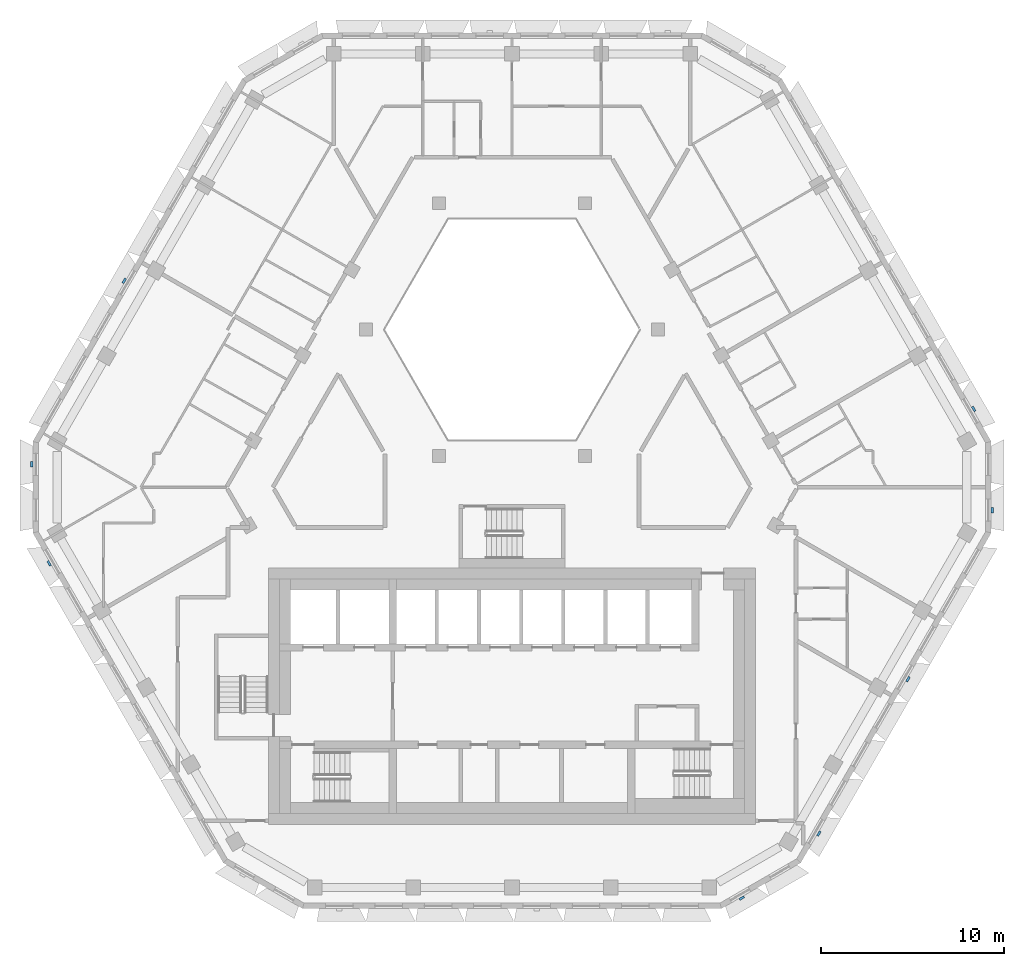
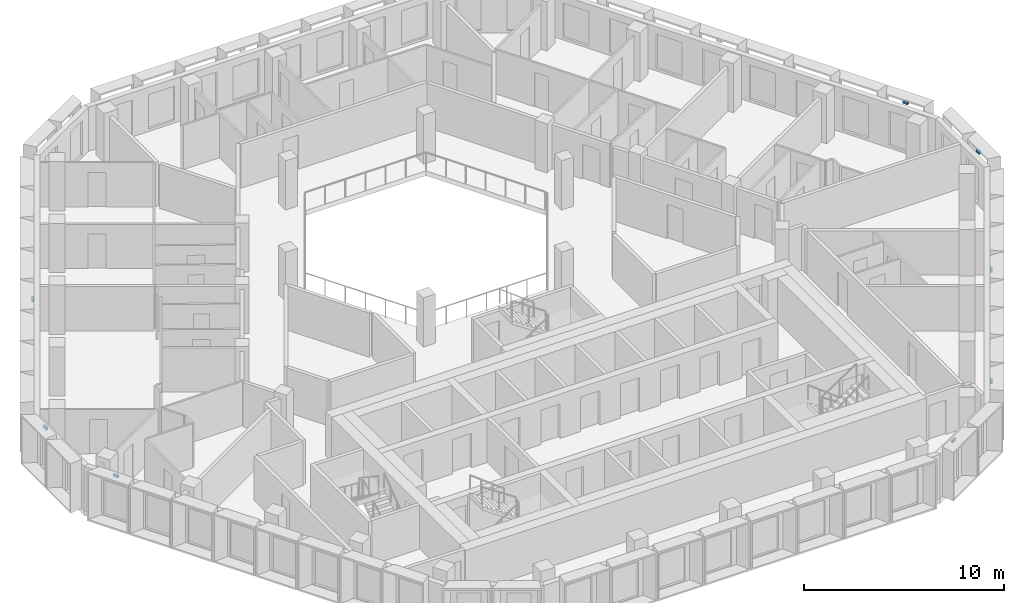
# One storey, part 10 of 18: 8 discrete accessories.
"""IFC4 building model written with IfcOpenShell, lengths in metres."""

from ifc_helpers import new_model, si_unit, direction, frame, origin, place, context, subcontext, project, spatial, polyline, outline, extrude, source, transform, mapped, material, type_object, type_shapes, element, save


model = new_model("IFC4")

# Units and contexts
model_context = context("Model", 3, precision=1e-05, world=origin(), true_north=direction((0.0, 1.0)))
body_context = subcontext(model_context, "Body", "Model", "MODEL_VIEW")
ifc_project = project(units=[si_unit("LENGTHUNIT", "METRE"), si_unit("AREAUNIT", "SQUARE_METRE"), si_unit("VOLUMEUNIT", "CUBIC_METRE"), si_unit("PLANEANGLEUNIT", "RADIAN"), si_unit("MASSUNIT", "GRAM", prefix="KILO")], contexts=[model_context])

# Site, building, storey
site_placement = place(None, origin())
site = spatial("IfcSite", under=ifc_project, at=site_placement, CompositionType="ELEMENT")
building_placement = place(site_placement, origin())
building = spatial("IfcBuilding", under=site, at=building_placement, Name="Beryl Residences", CompositionType="ELEMENT")
storey_placement = place(building_placement, frame((0.0, 0.0, 190.199951171875)))
storey = spatial("IfcBuildingStorey", under=building, at=storey_placement, Name="L58", CompositionType="ELEMENT", Elevation=190.199951171875)

# Discrete accessories
ifc_material = material(Name="Steel S355", Category="steel")
discrete_accessory_type = type_object("IfcDiscreteAccessoryType", Name="BR1 frame bracket 300 x 120 x 150 mm", PredefinedType="BRACKET", material=ifc_material)
shared_shape = source(origin(), body_context, "Body", "SweptSolid", [
    extrude(outline(polyline([(-0.14990234375, 0.0), (0.14990234375, 0.0), (0.14990234375, 0.1201171875), (-0.14990234375, 0.1201171875), (-0.14990234375, 0.0)])), origin(), (0.0, 0.0, 1.0), 0.14990234375),
])
type_shapes(discrete_accessory_type, [shared_shape])
for number, where, z_axis, x_axis, name in (
    (1, (-21.111083984375, 10.634033203125, 2.75), (0.0, 0.0, 1.0), (0.5, 0.866025403784, 0.0), "BR1 bracket L58 NW 5"),
    (2, (-26.154052734375, 0.64990234375, 2.75), (0.0, 0.0, 1.0), (0.0, 1.0, 0.0), "BR1 bracket L58 NW-SW 1"),
    (3, (-25.212890625, -4.72802734375, 2.75), (0.0, 0.0, 1.0), (-0.5, 0.866025403784, 0.0), "BR1 bracket L58 SW 1"),
    (4, (12.513916015625, -22.97509765625, 2.75), (0.0, 0.0, 1.0), (-0.866025403784, -0.5, 0.0), "BR1 bracket L58 S-SE 1"),
    (5, (16.700927734375, -19.471923828125, 2.75), (0.0, 0.0, 1.0), (-0.5, -0.866025403784, 0.0), "BR1 bracket L58 SE 1"),
    (6, (21.56396484375, -11.048095703125, 2.75), (0.0, 0.0, 1.0), (-0.5, -0.866025403784, 0.0), "BR1 bracket L58 SE 5"),
    (7, (26.154052734375, -1.85009765625, 2.75), (0.0, 0.0, 1.0), (0.0, -1.0, 0.0), "BR1 bracket L58 SE-NE 1"),
    (8, (25.14892578125, 3.639892578125, 2.75), (0.0, 0.0, 1.0), (0.5, -0.866025403784, 0.0), "BR1 bracket L58 NE 1"),
):
    element("IfcDiscreteAccessory", number, at=place(storey_placement, frame(where, z_axis=z_axis, x_axis=x_axis)), inside=storey, type_object=discrete_accessory_type, Name=name, PredefinedType="BRACKET", context=body_context, shape_type="MappedRepresentation", body=[
        mapped(shared_shape, transform((0.0, 0.0, 0.0))),
    ])

save(model, "model.ifc")
